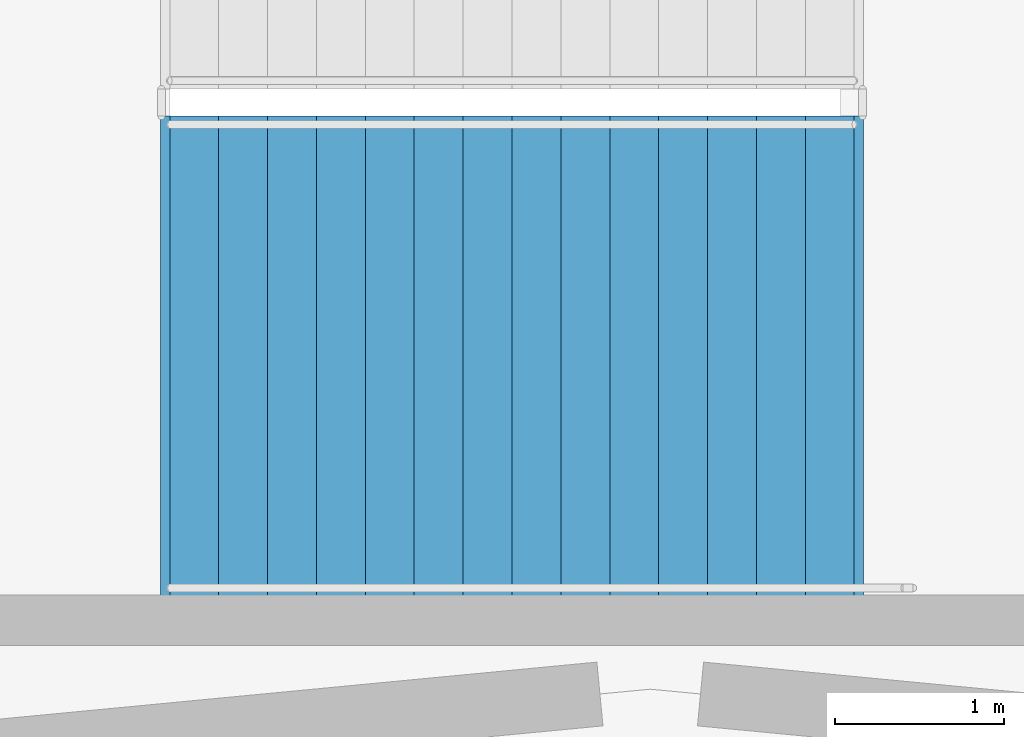
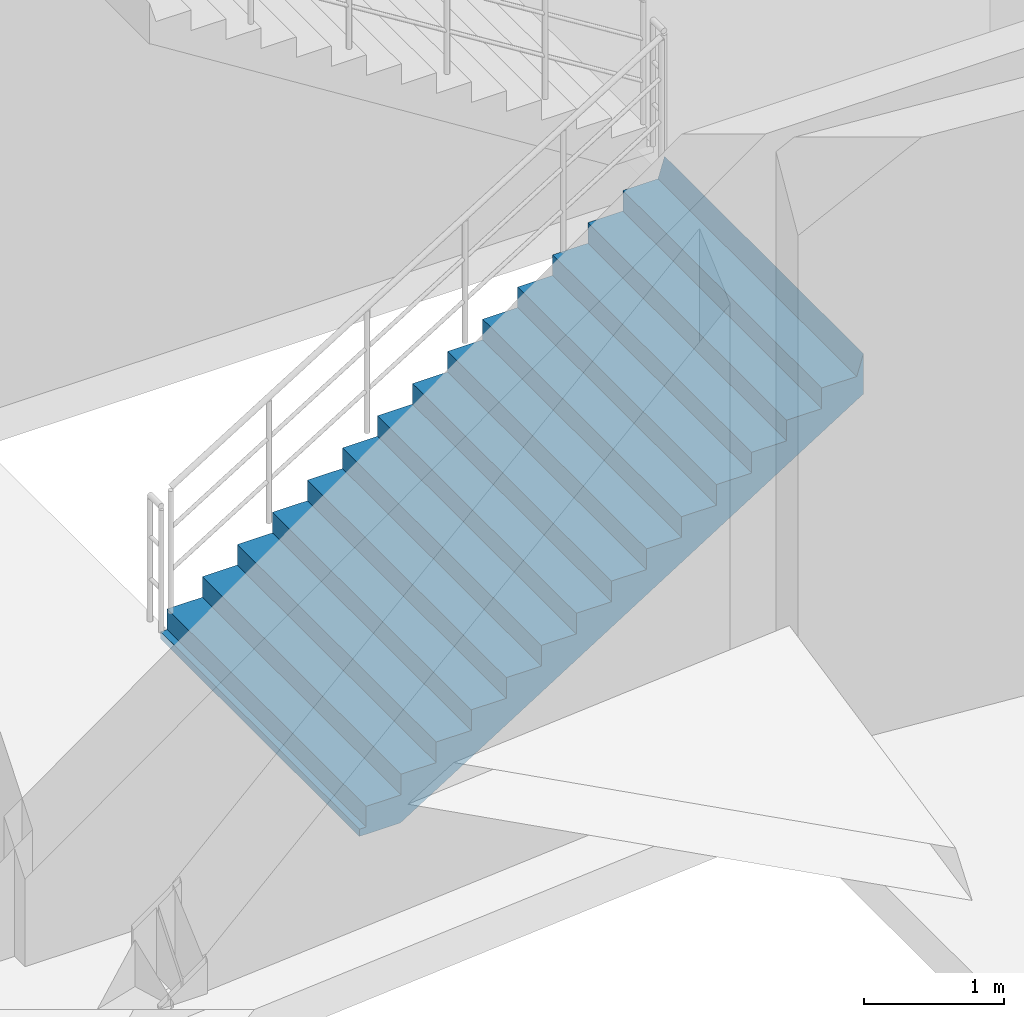
# One storey, part 70 of 93: 1 stair flight, 1 element without a shape of its own.
"""IFC4 building model written with IfcOpenShell, lengths in metres."""

from ifc_helpers import new_model, si_unit, direction, frame, origin, place, context, subcontext, project, spatial, polyline, outline, extrude, material, type_object, element, aggregate, save


model = new_model("IFC4")

# Units and contexts
model_context = context("Model", 3, precision=1e-05, world=origin(), true_north=direction((0.0, 1.0)))
body_context = subcontext(model_context, "Body", "Model", "MODEL_VIEW")
ifc_project = project(units=[si_unit("LENGTHUNIT", "METRE"), si_unit("AREAUNIT", "SQUARE_METRE"), si_unit("VOLUMEUNIT", "CUBIC_METRE"), si_unit("PLANEANGLEUNIT", "RADIAN"), si_unit("MASSUNIT", "GRAM", prefix="KILO")], contexts=[model_context])

# Site, building, storey
site_placement = place(None, origin())
site = spatial("IfcSite", under=ifc_project, at=site_placement, CompositionType="ELEMENT")
building_placement = place(site_placement, origin())
building = spatial("IfcBuilding", under=site, at=building_placement, Name="Cinderbank Siding Concert Hall", CompositionType="ELEMENT")
storey_placement = place(building_placement, origin())
storey = spatial("IfcBuildingStorey", under=building, at=storey_placement, Name="L01", CompositionType="ELEMENT", Elevation=0.0)

# Stair, stair flight
ifc_material = material(Name="Reinforced concrete AS 3600 N50 (50 MPa)", Category="concrete")
stair_type = type_object("IfcStairType", Name="STR-J Dogleg Exit Stair 2850mm", PredefinedType="HALF_TURN_STAIR", material=ifc_material)
stair_placement = place(storey_placement, origin())
stair = element("IfcStair", 1, at=stair_placement, inside=storey, type_object=stair_type, Name="L01 Fire-isolated Exit Stair ST-01", PredefinedType="HALF_TURN_STAIR")
stair_flight_type = type_object("IfcStairFlightType", Name="SFL-J Concrete Stair Flight 2850mm", PredefinedType="STRAIGHT", material=ifc_material)
stair_flight_placement = place(storey_placement, frame((119.14990234375, 60.175048828125, 0.0), z_axis=(0.0, 0.0, 1.0), x_axis=(1.0, 0.0, 0.0)))
stair_flight = element("IfcStairFlight", 2, at=stair_flight_placement, type_object=stair_flight_type, Name="ST-01 flight 1", NumberOfRisers=15, NumberOfTreads=14, PredefinedType="STRAIGHT", RiserHeight=0.18, TreadLength=0.29, context=body_context, shape_type="SweptSolid", body=[
    extrude(outline(polyline([(0.0, 0.0), (0.0, 0.179931640625), (0.2900390625, 0.179931640625), (0.2900390625, 0.360107421875), (0.580078125, 0.360107421875), (0.580078125, 0.5400390625), (0.8701171875, 0.5400390625), (0.8701171875, 0.719970703125), (1.159912109375, 0.719970703125), (1.159912109375, 0.89990234375), (1.449951171875, 0.89990234375), (1.449951171875, 1.080078125), (1.739990234375, 1.080078125), (1.739990234375, 1.260009765625), (2.030029296875, 1.260009765625), (2.030029296875, 1.43994140625), (2.320068359375, 1.43994140625), (2.320068359375, 1.6201171875), (2.610107421875, 1.6201171875), (2.610107421875, 1.800048828125), (2.89990234375, 1.800048828125), (2.89990234375, 1.97998046875), (3.18994140625, 1.97998046875), (3.18994140625, 2.159912109375), (3.47998046875, 2.159912109375), (3.47998046875, 2.340087890625), (3.77001953125, 2.340087890625), (3.77001953125, 2.52001953125), (4.06005859375, 2.52001953125), (4.114990234375, 2.699951171875), (4.114990234375, 2.343505859375), (4.11474609375, 2.34375), (4.11474609375, 2.343994140625), (4.11474609375, 2.34423828125), (4.11474609375, 2.344482421875), (4.11474609375, 2.3447265625), (4.11474609375, 2.344970703125), (4.11474609375, 2.34521484375), (4.11474609375, 2.345458984375), (4.11474609375, 2.345703125), (4.11474609375, 2.345947265625), (4.11474609375, 2.34619140625), (4.11474609375, 2.346435546875), (4.114501953125, 2.346435546875), (4.114501953125, 2.34619140625), (4.114501953125, 2.345947265625), (4.114501953125, 2.345703125), (4.114501953125, 2.345458984375), (4.114501953125, 2.34521484375), (4.114501953125, 2.344970703125), (4.114501953125, 2.3447265625), (4.114501953125, 2.344482421875), (4.114501953125, 2.34423828125), (4.114501953125, 2.343994140625), (4.114501953125, 2.34375), (4.114501953125, 2.343505859375), (4.1142578125, 2.34375), (4.1142578125, 2.343994140625), (4.1142578125, 2.34423828125), (4.1142578125, 2.344482421875), (4.1142578125, 2.3447265625), (4.1142578125, 2.344970703125), (4.1142578125, 2.34521484375), (4.1142578125, 2.345458984375), (4.1142578125, 2.345703125), (4.1142578125, 2.345947265625), (4.1142578125, 2.34619140625), (4.1142578125, 2.346435546875), (4.114013671875, 2.346435546875), (4.114013671875, 2.34619140625), (4.114013671875, 2.345947265625), (4.114013671875, 2.345703125), (4.114013671875, 2.345458984375), (4.114013671875, 2.34521484375), (4.114013671875, 2.344970703125), (4.114013671875, 2.3447265625), (4.114013671875, 2.344482421875), (4.114013671875, 2.34423828125), (4.114013671875, 2.343994140625), (4.114013671875, 2.34375), (4.114013671875, 2.343505859375), (4.11376953125, 2.34375), (4.11376953125, 2.343994140625), (4.11376953125, 2.34423828125), (4.11376953125, 2.344482421875), (4.11376953125, 2.3447265625), (4.11376953125, 2.344970703125), (4.11376953125, 2.34521484375), (4.11376953125, 2.345458984375), (4.11376953125, 2.345703125), (4.11376953125, 2.345947265625), (4.11376953125, 2.34619140625), (4.11376953125, 2.346435546875), (4.113525390625, 2.346435546875), (4.113525390625, 2.34619140625), (4.113525390625, 2.345947265625), (4.113525390625, 2.345703125), (4.113525390625, 2.345458984375), (4.113525390625, 2.34521484375), (4.113525390625, 2.344970703125), (4.113525390625, 2.3447265625), (4.113525390625, 2.344482421875), (4.113525390625, 2.34423828125), (4.113525390625, 2.343994140625), (4.113525390625, 2.34375), (4.113525390625, 2.343505859375), (4.11328125, 2.34375), (4.11328125, 2.343994140625), (4.11328125, 2.34423828125), (4.11328125, 2.344482421875), (4.11328125, 2.3447265625), (4.11328125, 2.344970703125), (4.11328125, 2.34521484375), (4.11328125, 2.345458984375), (4.11328125, 2.345703125), (4.11328125, 2.345947265625), (4.11328125, 2.34619140625), (4.11328125, 2.346435546875), (4.113037109375, 2.346435546875), (4.113037109375, 2.34619140625), (4.113037109375, 2.345947265625), (4.113037109375, 2.345703125), (4.113037109375, 2.345458984375), (4.113037109375, 2.34521484375), (4.113037109375, 2.344970703125), (4.113037109375, 2.3447265625), (4.113037109375, 2.344482421875), (4.113037109375, 2.34423828125), (4.113037109375, 2.343994140625), (4.113037109375, 2.34375), (4.113037109375, 2.343505859375), (4.11279296875, 2.34375), (4.11279296875, 2.343994140625), (4.11279296875, 2.34423828125), (4.11279296875, 2.344482421875), (4.11279296875, 2.3447265625), (4.11279296875, 2.344970703125), (4.11279296875, 2.34521484375), (4.11279296875, 2.345458984375), (4.11279296875, 2.345703125), (4.11279296875, 2.345947265625), (4.11279296875, 2.34619140625), (4.11279296875, 2.346435546875), (4.112548828125, 2.346435546875), (4.112548828125, 2.34619140625), (4.112548828125, 2.345947265625), (4.112548828125, 2.345703125), (4.112548828125, 2.345458984375), (4.112548828125, 2.34521484375), (4.112548828125, 2.344970703125), (4.112548828125, 2.3447265625), (4.112548828125, 2.344482421875), (4.112548828125, 2.34423828125), (4.112548828125, 2.343994140625), (4.112548828125, 2.34375), (4.112548828125, 2.343505859375), (4.1123046875, 2.34375), (4.1123046875, 2.343994140625), (4.1123046875, 2.34423828125), (4.1123046875, 2.344482421875), (4.1123046875, 2.3447265625), (4.1123046875, 2.344970703125), (4.1123046875, 2.34521484375), (4.1123046875, 2.345458984375), (4.1123046875, 2.345703125), (4.1123046875, 2.345947265625), (4.1123046875, 2.34619140625), (4.1123046875, 2.346435546875), (4.112060546875, 2.346435546875), (4.112060546875, 2.34619140625), (4.112060546875, 2.345947265625), (4.112060546875, 2.345703125), (4.112060546875, 2.345458984375), (4.112060546875, 2.34521484375), (4.112060546875, 2.344970703125), (4.112060546875, 2.3447265625), (4.112060546875, 2.344482421875), (4.112060546875, 2.34423828125), (4.112060546875, 2.343994140625), (4.112060546875, 2.34375), (4.112060546875, 2.343505859375), (4.11181640625, 2.34375), (4.11181640625, 2.343994140625), (4.11181640625, 2.34423828125), (4.11181640625, 2.344482421875), (4.11181640625, 2.3447265625), (4.11181640625, 2.344970703125), (4.11181640625, 2.34521484375), (4.11181640625, 2.345458984375), (4.11181640625, 2.345703125), (4.11181640625, 2.345947265625), (4.11181640625, 2.34619140625), (4.11181640625, 2.346435546875), (4.111572265625, 2.346435546875), (4.111572265625, 2.34619140625), (4.111572265625, 2.345947265625), (4.111572265625, 2.345703125), (4.111572265625, 2.345458984375), (4.111572265625, 2.34521484375), (4.111572265625, 2.344970703125), (4.111572265625, 2.3447265625), (4.111572265625, 2.344482421875), (4.111572265625, 2.34423828125), (4.111572265625, 2.343994140625), (4.111572265625, 2.34375), (4.111572265625, 2.343505859375), (4.111328125, 2.34375), (4.111328125, 2.343994140625), (4.111328125, 2.34423828125), (4.111328125, 2.344482421875), (4.111328125, 2.3447265625), (4.111328125, 2.344970703125), (4.111328125, 2.34521484375), (4.111328125, 2.345458984375), (4.111328125, 2.345703125), (4.111328125, 2.345947265625), (4.111328125, 2.34619140625), (4.111328125, 2.346435546875), (4.111083984375, 2.346435546875), (4.111083984375, 2.34619140625), (4.111083984375, 2.345947265625), (4.111083984375, 2.345703125), (4.111083984375, 2.345458984375), (4.111083984375, 2.34521484375), (4.111083984375, 2.344970703125), (4.111083984375, 2.3447265625), (4.111083984375, 2.344482421875), (4.111083984375, 2.34423828125), (4.111083984375, 2.343994140625), (4.111083984375, 2.34375), (4.111083984375, 2.343505859375), (4.11083984375, 2.34375), (4.11083984375, 2.343994140625), (4.11083984375, 2.34423828125), (4.11083984375, 2.344482421875), (4.11083984375, 2.3447265625), (4.11083984375, 2.344970703125), (4.11083984375, 2.34521484375), (4.11083984375, 2.345458984375), (4.11083984375, 2.345703125), (4.11083984375, 2.345947265625), (4.11083984375, 2.34619140625), (4.11083984375, 2.346435546875), (4.110595703125, 2.346435546875), (4.110595703125, 2.34619140625), (4.110595703125, 2.345947265625), (4.110595703125, 2.345703125), (4.110595703125, 2.345458984375), (4.110595703125, 2.34521484375), (4.110595703125, 2.344970703125), (4.110595703125, 2.3447265625), (4.110595703125, 2.344482421875), (4.110595703125, 2.34423828125), (4.110595703125, 2.343994140625), (4.110595703125, 2.34375), (4.110595703125, 2.343505859375), (4.1103515625, 2.34375), (4.1103515625, 2.343994140625), (4.1103515625, 2.34423828125), (4.1103515625, 2.344482421875), (4.1103515625, 2.3447265625), (4.1103515625, 2.344970703125), (4.1103515625, 2.34521484375), (4.1103515625, 2.345458984375), (4.1103515625, 2.345703125), (4.1103515625, 2.345947265625), (4.1103515625, 2.34619140625), (4.1103515625, 2.346435546875), (4.110107421875, 2.346435546875), (4.110107421875, 2.34619140625), (4.110107421875, 2.345947265625), (4.110107421875, 2.345703125), (4.110107421875, 2.345458984375), (4.110107421875, 2.34521484375), (4.110107421875, 2.344970703125), (4.110107421875, 2.3447265625), (4.110107421875, 2.344482421875), (4.110107421875, 2.34423828125), (4.110107421875, 2.343994140625), (4.110107421875, 2.34375), (4.110107421875, 2.343505859375), (4.10986328125, 2.34375), (4.10986328125, 2.343994140625), (4.10986328125, 2.34423828125), (4.10986328125, 2.344482421875), (4.10986328125, 2.3447265625), (4.10986328125, 2.344970703125), (4.10986328125, 2.34521484375), (4.10986328125, 2.345458984375), (4.10986328125, 2.345703125), (4.10986328125, 2.345947265625), (4.10986328125, 2.34619140625), (4.10986328125, 2.346435546875), (4.109619140625, 2.346435546875), (4.109619140625, 2.34619140625), (4.109619140625, 2.345947265625), (4.109619140625, 2.345703125), (4.109619140625, 2.345458984375), (4.109619140625, 2.34521484375), (4.109619140625, 2.344970703125), (4.109619140625, 2.3447265625), (4.109619140625, 2.344482421875), (4.109619140625, 2.34423828125), (4.109619140625, 2.343994140625), (4.109619140625, 2.34375), (4.109619140625, 2.343505859375), (4.109375, 2.34375), (4.109375, 2.343994140625), (4.109375, 2.34423828125), (4.109375, 2.344482421875), (4.109375, 2.3447265625), (4.109375, 2.344970703125), (4.109375, 2.34521484375), (4.109375, 2.345458984375), (4.109375, 2.345703125), (4.109375, 2.345947265625), (4.109375, 2.34619140625), (4.109375, 2.346435546875), (4.109130859375, 2.346435546875), (4.109130859375, 2.34619140625), (4.109130859375, 2.345947265625), (4.109130859375, 2.345703125), (4.109130859375, 2.345458984375), (4.109130859375, 2.34521484375), (4.109130859375, 2.344970703125), (4.109130859375, 2.3447265625), (4.109130859375, 2.344482421875), (4.109130859375, 2.34423828125), (4.109130859375, 2.343994140625), (4.109130859375, 2.34375), (4.109130859375, 2.343505859375), (4.10888671875, 2.34375), (4.10888671875, 2.343994140625), (4.10888671875, 2.34423828125), (4.10888671875, 2.344482421875), (4.10888671875, 2.3447265625), (4.10888671875, 2.344970703125), (4.10888671875, 2.34521484375), (4.10888671875, 2.345458984375), (4.10888671875, 2.345703125), (4.10888671875, 2.345947265625), (4.10888671875, 2.34619140625), (4.10888671875, 2.346435546875), (4.108642578125, 2.346435546875), (4.108642578125, 2.34619140625), (4.108642578125, 2.345947265625), (4.108642578125, 2.345703125), (4.108642578125, 2.345458984375), (4.108642578125, 2.34521484375), (4.108642578125, 2.344970703125), (4.108642578125, 2.3447265625), (4.108642578125, 2.344482421875), (4.108642578125, 2.34423828125), (4.108642578125, 2.343994140625), (4.108642578125, 2.34375), (4.108642578125, 2.343505859375), (0.2841796875, -0.06396484375), (-0.048583984375, -0.063720703125), (-0.048583984375, -0.0634765625), (-0.048583984375, -0.063232421875), (-0.048583984375, -0.06298828125), (-0.048583984375, -0.062744140625), (-0.048583984375, -0.0625), (-0.048583984375, -0.062255859375), (-0.048583984375, -0.06201171875), (-0.048583984375, -0.061767578125), (-0.048583984375, -0.0615234375), (-0.048583984375, -0.061279296875), (-0.048583984375, -0.06103515625), (-0.048828125, -0.06103515625), (-0.048828125, -0.061279296875), (-0.048828125, -0.0615234375), (-0.048828125, -0.061767578125), (-0.048828125, -0.06201171875), (-0.048828125, -0.062255859375), (-0.048828125, -0.0625), (-0.048828125, -0.062744140625), (-0.048828125, -0.06298828125), (-0.048828125, -0.063232421875), (-0.048828125, -0.0634765625), (-0.048828125, -0.063720703125), (-0.048828125, -0.06396484375), (-0.049072265625, -0.063720703125), (-0.049072265625, -0.0634765625), (-0.049072265625, -0.063232421875), (-0.049072265625, -0.06298828125), (-0.049072265625, -0.062744140625), (-0.049072265625, -0.0625), (-0.049072265625, -0.062255859375), (-0.049072265625, -0.06201171875), (-0.049072265625, -0.061767578125), (-0.049072265625, -0.0615234375), (-0.049072265625, -0.061279296875), (-0.049072265625, -0.06103515625), (-0.04931640625, -0.06103515625), (-0.04931640625, -0.061279296875), (-0.04931640625, -0.0615234375), (-0.04931640625, -0.061767578125), (-0.04931640625, -0.06201171875), (-0.04931640625, -0.062255859375), (-0.04931640625, -0.0625), (-0.04931640625, -0.062744140625), (-0.04931640625, -0.06298828125), (-0.04931640625, -0.063232421875), (-0.04931640625, -0.0634765625), (-0.04931640625, -0.063720703125), (-0.04931640625, -0.06396484375), (-0.049560546875, -0.063720703125), (-0.049560546875, -0.0634765625), (-0.049560546875, -0.063232421875), (-0.049560546875, -0.06298828125), (-0.049560546875, -0.062744140625), (-0.049560546875, -0.0625), (-0.049560546875, -0.062255859375), (-0.049560546875, -0.06201171875), (-0.049560546875, -0.061767578125), (-0.049560546875, -0.0615234375), (-0.049560546875, -0.061279296875), (-0.049560546875, -0.06103515625), (-0.0498046875, -0.06103515625), (-0.0498046875, -0.061279296875), (-0.0498046875, -0.0615234375), (-0.0498046875, -0.061767578125), (-0.0498046875, -0.06201171875), (-0.0498046875, -0.062255859375), (-0.0498046875, -0.0625), (-0.0498046875, -0.062744140625), (-0.0498046875, -0.06298828125), (-0.0498046875, -0.063232421875), (-0.0498046875, -0.0634765625), (-0.0498046875, -0.063720703125), (-0.0498046875, -0.06396484375), (-0.050048828125, -0.063720703125), (-0.050048828125, -0.0634765625), (-0.050048828125, -0.063232421875), (-0.050048828125, -0.06298828125), (-0.050048828125, -0.062744140625), (-0.050048828125, -0.0625), (-0.050048828125, -0.062255859375), (-0.050048828125, -0.06201171875), (-0.050048828125, -0.061767578125), (-0.050048828125, -0.0615234375), (-0.050048828125, -0.061279296875), (-0.050048828125, -0.06103515625), (-0.05029296875, -0.06103515625), (-0.05029296875, -0.061279296875), (-0.05029296875, -0.0615234375), (-0.05029296875, -0.061767578125), (-0.05029296875, -0.06201171875), (-0.05029296875, -0.062255859375), (-0.05029296875, -0.0625), (-0.05029296875, -0.062744140625), (-0.05029296875, -0.06298828125), (-0.05029296875, -0.063232421875), (-0.05029296875, -0.0634765625), (-0.05029296875, -0.063720703125), (-0.05029296875, -0.06396484375), (-0.050537109375, -0.063720703125), (-0.050537109375, -0.0634765625), (-0.050537109375, -0.063232421875), (-0.050537109375, -0.06298828125), (-0.050537109375, -0.062744140625), (-0.050537109375, -0.0625), (-0.050537109375, -0.062255859375), (-0.050537109375, -0.06201171875), (-0.050537109375, -0.061767578125), (-0.050537109375, -0.0615234375), (-0.050537109375, -0.061279296875), (-0.050537109375, -0.06103515625), (-0.05078125, -0.06103515625), (-0.05078125, -0.061279296875), (-0.05078125, -0.0615234375), (-0.05078125, -0.061767578125), (-0.05078125, -0.06201171875), (-0.05078125, -0.062255859375), (-0.05078125, -0.0625), (-0.05078125, -0.062744140625), (-0.05078125, -0.06298828125), (-0.05078125, -0.063232421875), (-0.05078125, -0.0634765625), (-0.05078125, -0.063720703125), (-0.05078125, -0.06396484375), (-0.051025390625, -0.063720703125), (-0.051025390625, -0.0634765625), (-0.051025390625, -0.063232421875), (-0.051025390625, -0.06298828125), (-0.051025390625, -0.062744140625), (-0.051025390625, -0.0625), (-0.051025390625, -0.062255859375), (-0.051025390625, -0.06201171875), (-0.051025390625, -0.061767578125), (-0.051025390625, -0.0615234375), (-0.051025390625, -0.061279296875), (-0.051025390625, -0.06103515625), (-0.05126953125, -0.06103515625), (-0.05126953125, -0.061279296875), (-0.05126953125, -0.0615234375), (-0.05126953125, -0.061767578125), (-0.05126953125, -0.06201171875), (-0.05126953125, -0.062255859375), (-0.05126953125, -0.0625), (-0.05126953125, -0.062744140625), (-0.05126953125, -0.06298828125), (-0.05126953125, -0.063232421875), (-0.05126953125, -0.0634765625), (-0.05126953125, -0.063720703125), (-0.05126953125, -0.06396484375), (-0.051513671875, -0.063720703125), (-0.051513671875, -0.0634765625), (-0.051513671875, -0.063232421875), (-0.051513671875, -0.06298828125), (-0.051513671875, -0.062744140625), (-0.051513671875, -0.0625), (-0.051513671875, -0.062255859375), (-0.051513671875, -0.06201171875), (-0.051513671875, -0.061767578125), (-0.051513671875, -0.0615234375), (-0.051513671875, -0.061279296875), (-0.051513671875, -0.06103515625), (-0.0517578125, -0.06103515625), (-0.0517578125, -0.061279296875), (-0.0517578125, -0.0615234375), (-0.0517578125, -0.061767578125), (-0.0517578125, -0.06201171875), (-0.0517578125, -0.062255859375), (-0.0517578125, -0.0625), (-0.0517578125, -0.062744140625), (-0.0517578125, -0.06298828125), (-0.0517578125, -0.063232421875), (-0.0517578125, -0.0634765625), (-0.0517578125, -0.063720703125), (-0.0517578125, -0.06396484375), (-0.052001953125, -0.063720703125), (-0.052001953125, -0.0634765625), (-0.052001953125, -0.063232421875), (-0.052001953125, -0.06298828125), (-0.052001953125, -0.062744140625), (-0.052001953125, -0.0625), (-0.052001953125, -0.062255859375), (-0.052001953125, -0.06201171875), (-0.052001953125, -0.061767578125), (-0.052001953125, -0.0615234375), (-0.052001953125, -0.061279296875), (-0.052001953125, -0.06103515625), (-0.05224609375, -0.06103515625), (-0.05224609375, -0.061279296875), (-0.05224609375, -0.0615234375), (-0.05224609375, -0.061767578125), (-0.05224609375, -0.06201171875), (-0.05224609375, -0.062255859375), (-0.05224609375, -0.0625), (-0.05224609375, -0.062744140625), (-0.05224609375, -0.06298828125), (-0.05224609375, -0.063232421875), (-0.05224609375, -0.0634765625), (-0.05224609375, -0.063720703125), (-0.05224609375, -0.06396484375), (-0.052490234375, -0.063720703125), (-0.052490234375, -0.0634765625), (-0.052490234375, -0.063232421875), (-0.052490234375, -0.06298828125), (-0.052490234375, -0.062744140625), (-0.052490234375, -0.0625), (-0.052490234375, -0.062255859375), (-0.052490234375, -0.06201171875), (-0.052490234375, -0.061767578125), (-0.052490234375, -0.0615234375), (-0.052490234375, -0.061279296875), (-0.052490234375, -0.06103515625), (-0.052734375, -0.06103515625), (-0.052734375, -0.061279296875), (-0.052734375, -0.0615234375), (-0.052734375, -0.061767578125), (-0.052734375, -0.06201171875), (-0.052734375, -0.062255859375), (-0.052734375, -0.0625), (-0.052734375, -0.062744140625), (-0.052734375, -0.06298828125), (-0.052734375, -0.063232421875), (-0.052734375, -0.0634765625), (-0.052734375, -0.063720703125), (-0.052734375, -0.06396484375), (-0.052978515625, -0.063720703125), (-0.052978515625, -0.0634765625), (-0.052978515625, -0.063232421875), (-0.052978515625, -0.06298828125), (-0.052978515625, -0.062744140625), (-0.052978515625, -0.0625), (-0.052978515625, -0.062255859375), (-0.052978515625, -0.06201171875), (-0.052978515625, -0.061767578125), (-0.052978515625, -0.0615234375), (-0.052978515625, -0.061279296875), (-0.052978515625, -0.06103515625), (-0.05322265625, -0.06103515625), (-0.05322265625, -0.061279296875), (-0.05322265625, -0.0615234375), (-0.05322265625, -0.061767578125), (-0.05322265625, -0.06201171875), (-0.05322265625, -0.062255859375), (-0.05322265625, -0.0625), (-0.05322265625, -0.062744140625), (-0.05322265625, -0.06298828125), (-0.05322265625, -0.063232421875), (-0.05322265625, -0.0634765625), (-0.05322265625, -0.063720703125), (-0.05322265625, -0.06396484375), (-0.053466796875, -0.063720703125), (-0.053466796875, -0.0634765625), (-0.053466796875, -0.063232421875), (-0.053466796875, -0.06298828125), (-0.053466796875, -0.062744140625), (-0.053466796875, -0.0625), (-0.053466796875, -0.062255859375), (-0.053466796875, -0.06201171875), (-0.053466796875, -0.061767578125), (-0.053466796875, -0.0615234375), (-0.053466796875, -0.061279296875), (-0.053466796875, -0.06103515625), (-0.0537109375, -0.06103515625), (-0.0537109375, -0.061279296875), (-0.0537109375, -0.0615234375), (-0.0537109375, -0.061767578125), (-0.0537109375, -0.06201171875), (-0.0537109375, -0.062255859375), (-0.0537109375, -0.0625), (-0.0537109375, -0.062744140625), (-0.0537109375, -0.06298828125), (-0.0537109375, -0.063232421875), (-0.0537109375, -0.0634765625), (-0.0537109375, -0.063720703125), (-0.0537109375, -0.06396484375), (-0.053955078125, -0.063720703125), (-0.053955078125, -0.0634765625), (-0.053955078125, -0.063232421875), (-0.053955078125, -0.06298828125), (-0.053955078125, -0.062744140625), (-0.053955078125, -0.0625), (-0.053955078125, -0.062255859375), (-0.053955078125, -0.06201171875), (-0.053955078125, -0.061767578125), (-0.053955078125, -0.0615234375), (-0.053955078125, -0.061279296875), (-0.053955078125, -0.06103515625), (-0.05419921875, -0.06103515625), (-0.05419921875, -0.061279296875), (-0.05419921875, -0.0615234375), (-0.05419921875, -0.061767578125), (-0.05419921875, -0.06201171875), (-0.05419921875, -0.062255859375), (-0.05419921875, -0.0625), (-0.05419921875, -0.062744140625), (-0.05419921875, -0.06298828125), (-0.05419921875, -0.063232421875), (-0.05419921875, -0.0634765625), (-0.05419921875, -0.063720703125), (-0.05419921875, -0.06396484375), (-0.054443359375, -0.063720703125), (-0.054443359375, -0.0634765625), (-0.054443359375, -0.063232421875), (-0.054443359375, -0.06298828125), (-0.054443359375, -0.062744140625), (-0.054443359375, -0.0625), (-0.054443359375, -0.062255859375), (-0.054443359375, -0.06201171875), (-0.054443359375, -0.061767578125), (-0.054443359375, -0.0615234375), (-0.054443359375, -0.061279296875), (-0.054443359375, -0.06103515625), (-0.0546875, -0.06103515625), (-0.0546875, -0.061279296875), (-0.0546875, -0.0615234375), (-0.0546875, -0.061767578125), (-0.0546875, -0.06201171875), (-0.0546875, -0.062255859375), (-0.0546875, -0.0625), (-0.0546875, -0.062744140625), (-0.0546875, -0.06298828125), (-0.0546875, -0.063232421875), (-0.0546875, -0.0634765625), (-0.0546875, -0.063720703125), (-0.0546875, -0.06396484375), (-0.054931640625, -0.06396484375), (-0.054931640625, 0.0), (0.0, 0.0)])), frame((0.0, 1.425048828125, 0.0), z_axis=(0.0, -1.0, 0.0), x_axis=(1.0, 0.0, 0.0)), (0.0, 0.0, 1.0), 2.85009765625),
])
aggregate(stair, [stair_flight])

save(model, "model.ifc")
